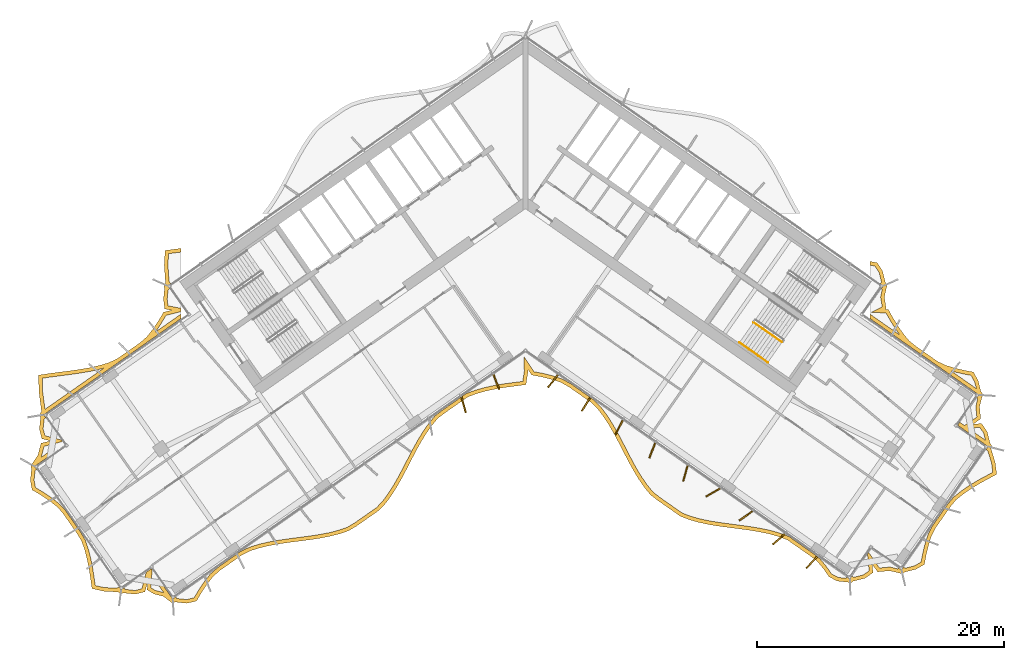
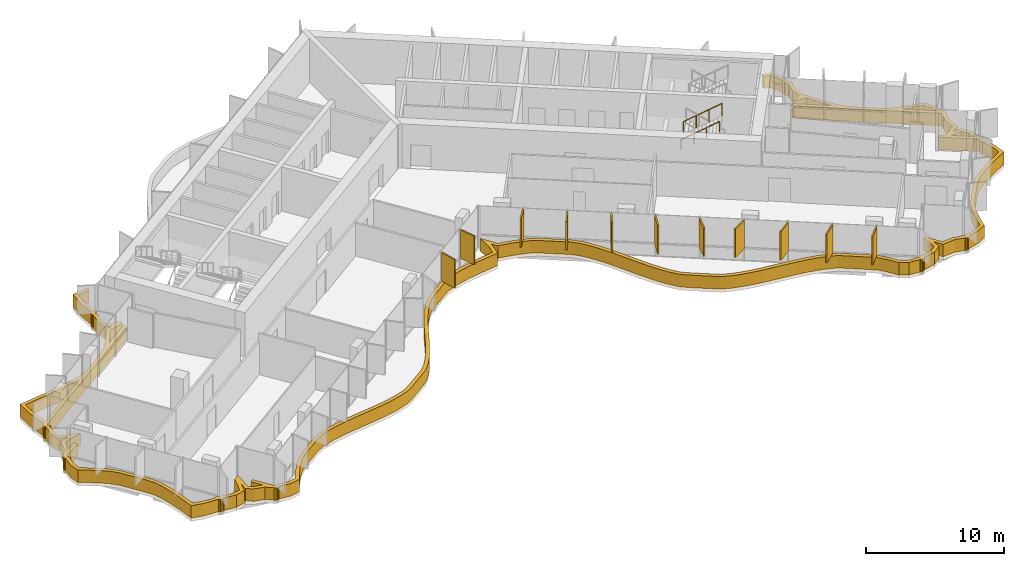
# One storey, part 19 of 21: 12 shading devices, 2 railings.
"""IFC4 building model written with IfcOpenShell, lengths in metres."""

from ifc_helpers import new_model, si_unit, direction, frame, origin, origin_2d, place, context, subcontext, project, spatial, polyline, rectangle, circle, outline, extrude, material, layer, layer_set, type_object, element, save


model = new_model("IFC4")

# Units and contexts
model_context = context("Model", 3, precision=1e-05, world=origin(), true_north=direction((0.0, 1.0)))
body_context = subcontext(model_context, "Body", "Model", "MODEL_VIEW")
ifc_project = project(units=[si_unit("LENGTHUNIT", "METRE"), si_unit("AREAUNIT", "SQUARE_METRE"), si_unit("VOLUMEUNIT", "CUBIC_METRE"), si_unit("PLANEANGLEUNIT", "RADIAN"), si_unit("MASSUNIT", "GRAM", prefix="KILO")], contexts=[model_context])

# Site, building, storey
site_placement = place(None, origin())
site = spatial("IfcSite", under=ifc_project, at=site_placement, CompositionType="ELEMENT")
building_placement = place(site_placement, origin())
building = spatial("IfcBuilding", under=site, at=building_placement, Name="Tel Ilan Convention Tower", CompositionType="ELEMENT")
storey_placement = place(building_placement, frame((0.0, 0.0, 155.39990234375)))
storey = spatial("IfcBuildingStorey", under=building, at=storey_placement, Name="L35", CompositionType="ELEMENT", Elevation=155.39990234375)

# Shading devices
ifc_material_1 = material(Name="Aluminium, bronze anodised", Category="aluminium")
ifc_layer_1 = layer(ifc_material_1, 0.1201171875)
ifc_layer_set_1 = layer_set([ifc_layer_1], Name="FIN BRONZE 1300x120")
shading_device_type_1 = type_object("IfcShadingDeviceType", Name="FIN BRONZE 1300x120", PredefinedType="USERDEFINED", material=ifc_layer_set_1)
for number, where, z_axis, x_axis, name in (
    (1, (-5.004638671875, -17.094482421875, 1.10009765625), (0.0, 0.0, 1.0), (0.268172612768, -0.963370878614, 0.0), "FIN"),
    (2, (-2.35302734375, -15.2529296875, 1.10009765625), (0.0, 0.0, 1.0), (0.360177724803, -0.932883704733, 0.0), "FIN"),
    (3, (2.2255859375, -15.172119140625, 1.10009765625), (0.0, 0.0, 1.0), (-0.612600545196, -0.790392669516, 0.0), "FIN"),
    (4, (4.90234375, -17.04638671875, 1.10009765625), (0.0, 0.0, 1.0), (-0.533204432798, -0.845986425922, 0.0), "FIN"),
    (5, (7.5791015625, -18.920166015625, 1.10009765625), (0.0, 0.0, 1.0), (-0.448799180206, -0.893632640321, 0.0), "FIN"),
    (6, (10.2587890625, -20.78857421875, 1.10009765625), (0.0, 0.0, 1.0), (-0.360177724803, -0.932883704733, 0.0), "FIN"),
    (7, (12.9404296875, -22.651123046875, 1.10009765625), (0.0, 0.0, 1.0), (-0.268172612768, -0.963370878614, 0.0), "FIN"),
    (8, (15.174072265625, -24.192626953125, 1.10009765625), (0.0, 0.0, 1.0), (-0.866025403784, -0.5, 0.0), "FIN"),
    (9, (17.83642578125, -26.079345703125, 1.10009765625), (0.0, 0.0, 1.0), (-0.813552070258, -0.581492071294, 0.0), "FIN"),
    (10, (20.50390625, -27.96240234375, 1.10009765625), (0.0, 0.0, 1.0), (-0.753435896329, -0.657521368568, 0.0), "FIN"),
    (11, (23.176025390625, -29.84130859375, 1.10009765625), (0.0, 0.0, 1.0), (-0.686241637865, -0.727373641577, 0.0), "FIN"),
):
    element("IfcShadingDevice", number, at=place(storey_placement, frame(where, z_axis=z_axis, x_axis=x_axis)), inside=storey, type_object=shading_device_type_1, Name=name, ObjectType="FIN", PredefinedType="USERDEFINED", context=body_context, shape_type="SweptSolid", body=[
        extrude(rectangle(XDim=1.300048828125, YDim=0.1201171875, at=origin_2d()), origin(), (0.0, 0.0, 1.0), 2.52001953125),
    ])
ifc_material_2 = material(Name="Aluminium, bronze anodised", Category="aluminium")
ifc_layer_2 = layer(ifc_material_2, 0.300048828125)
ifc_layer_set_2 = layer_set([ifc_layer_2], Name="LOUVRE BAND 300x1100")
shading_device_type_2 = type_object("IfcShadingDeviceType", Name="LOUVRE BAND 300x1100", PredefinedType="USERDEFINED", material=ifc_layer_set_2)
shading_device_placement = place(storey_placement, origin())
element("IfcShadingDevice", 12, at=shading_device_placement, inside=storey, type_object=shading_device_type_2, Name="LOUVRE BAND 27.01", ObjectType="LOUVRE", PredefinedType="USERDEFINED", context=body_context, shape_type="SweptSolid", body=[
    extrude(outline(polyline([(-40.0625, -23.190673828125), (-39.92822265625, -23.97265625), (-39.250732421875, -24.374267578125), (-38.60546875, -24.798583984375), (-38.006591796875, -25.25537109375), (-37.49755859375, -25.77490234375), (-36.2626953125, -27.53857421875), (-35.8984375, -28.15966796875), (-35.6572265625, -28.86669921875), (-35.46484375, -29.608154296875), (-35.312744140625, -30.377685546875), (-35.189697265625, -31.167724609375), (-35.07666015625, -31.964599609375), (-34.1298828125, -32.177734375), (-32.96484375, -32.238037109375), (-32.93603515625, -32.281494140625), (-32.838623046875, -32.346435546875), (-32.723876953125, -32.369384765625), (-32.609130859375, -32.346435546875), (-32.554931640625, -32.310302734375), (-31.562744140625, -32.420166015625), (-30.788818359375, -32.2177734375), (-30.573974609375, -31.399658203125), (-30.615234375, -32.057861328125), (-30.059814453125, -32.4013671875), (-29.2880859375, -32.593505859375), (-28.79150390625, -32.97802734375), (-28.786865234375, -32.974853515625), (-28.7578125, -33.01806640625), (-28.660400390625, -33.083251953125), (-28.545654296875, -33.10595703125), (-28.430908203125, -33.083251953125), (-28.376953125, -33.047119140625), (-27.396728515625, -33.154296875), (-26.6201171875, -32.970703125), (-26.2060546875, -32.269287109375), (-25.76416015625, -31.607666015625), (-25.286865234375, -30.996826171875), (-24.7294921875, -30.500244140625), (-22.907470703125, -29.224365234375), (-22.2314453125, -28.89697265625), (-21.48779296875, -28.666259765625), (-20.7099609375, -28.484619140625), (-19.905029296875, -28.34130859375), (-19.08251953125, -28.2236328125), (-17.421875, -28.009765625), (-16.60400390625, -27.885009765625), (-15.80712890625, -27.73046875), (-15.039794921875, -27.533935546875), (-14.308837890625, -27.284912109375), (-13.6689453125, -26.906005859375), (-11.846923828125, -25.63037109375), (-11.327880859375, -25.078857421875), (-10.86279296875, -24.4501953125), (-10.43115234375, -23.7744140625), (-10.024658203125, -23.06201171875), (-9.634765625, -22.326171875), (-8.864990234375, -20.84033203125), (-8.46533203125, -20.118408203125), (-8.043212890625, -19.428466796875), (-7.59033203125, -18.782470703125), (-7.10009765625, -18.190185546875), (-6.5087890625, -17.741943359375), (-4.686767578125, -16.466064453125), (-3.97021484375, -16.19677734375), (-3.214599609375, -15.983154296875), (-2.427001953125, -15.8154296875), (-1.615234375, -15.681884765625), (0.04248046875, -15.464111328125), (0.2060546875, -14.405029296875), (0.201416015625, -14.22314453125), (0.51220703125, -14.685546875), (1.31689453125, -14.835693359375), (2.093017578125, -15.0263671875), (2.833251953125, -15.268798828125), (3.490966796875, -15.62890625), (5.322509765625, -16.9111328125), (5.858154296875, -17.445556640625), (6.329833984375, -18.071533203125), (6.76708984375, -18.74658203125), (7.177734375, -19.45947265625), (7.57080078125, -20.197509765625), (8.343994140625, -21.69189453125), (8.744384765625, -22.41943359375), (9.166748046875, -23.11572265625), (9.61962890625, -23.768310546875), (10.110107421875, -24.3671875), (10.698486328125, -24.826171875), (12.530029296875, -26.108642578125), (13.245361328125, -26.386474609375), (14.003662109375, -26.602783203125), (14.794677734375, -26.7724609375), (15.610107421875, -26.9072265625), (18.10791015625, -27.238525390625), (18.924072265625, -27.3720703125), (19.716064453125, -27.54052734375), (20.475830078125, -27.7548828125), (21.19580078125, -28.02587890625), (23.02734375, -29.308349609375), (23.619384765625, -29.76220703125), (24.111328125, -30.35888671875), (24.565673828125, -31.009765625), (25.2314453125, -31.358154296875), (26.083251953125, -31.441162109375), (26.13720703125, -31.47705078125), (26.251953125, -31.5), (26.366943359375, -31.47705078125), (26.464111328125, -31.412109375), (26.4931640625, -31.368896484375), (27.463134765625, -31.132568359375), (28.12109375, -30.677734375), (28.056396484375, -29.976806640625), (28.4951171875, -30.611572265625), (29.47412109375, -30.52099609375), (30.258056640625, -30.708984375), (30.261474609375, -30.704345703125), (30.3154296875, -30.740478515625), (30.43017578125, -30.76318359375), (30.544921875, -30.740478515625), (30.642333984375, -30.67529296875), (30.67138671875, -30.632080078125), (31.5947265625, -30.402587890625), (32.283447265625, -30.0087890625), (32.42919921875, -29.234619140625), (32.607177734375, -28.483154296875), (32.83154296875, -27.764404296875), (33.145751953125, -27.108154296875), (34.380615234375, -25.344482421875), (34.83984375, -24.7900390625), (35.421630859375, -24.3212890625), (36.052734375, -23.88720703125), (36.7236328125, -23.48095703125), (37.423828125, -23.09521484375), (38.134033203125, -22.71630859375), (38.010498046875, -21.753662109375), (37.6689453125, -20.638427734375), (37.705078125, -20.58447265625), (37.727783203125, -20.4697265625), (37.705078125, -20.354736328125), (37.639892578125, -20.257568359375), (37.5966796875, -20.228515625), (37.3603515625, -19.258544921875), (36.905517578125, -18.6005859375), (36.20458984375, -18.665283203125), (36.839599609375, -18.2265625), (36.748779296875, -17.24755859375), (36.936767578125, -16.463623046875), (36.93212890625, -16.460205078125), (36.96826171875, -16.40625), (36.9912109375, -16.29150390625), (36.96826171875, -16.1767578125), (36.9033203125, -16.079345703125), (36.85986328125, -16.05029296875), (36.63134765625, -15.134521484375), (36.246826171875, -14.44140625), (35.47900390625, -14.2958984375), (34.732177734375, -14.1201171875), (34.017333984375, -13.899169921875), (33.361328125, -13.59375), (31.6103515625, -12.36767578125), (31.052978515625, -11.921630859375), (30.5849609375, -11.347900390625), (30.151123046875, -10.72509765625), (29.74560546875, -10.06201171875), (29.356201171875, -9.3759765625), (29.132080078125, -9.36474609375), (29.19384765625, -9.332763671875), (29.044921875, -8.373779296875), (29.20458984375, -7.631103515625), (29.199951171875, -7.6279296875), (29.236083984375, -7.57373046875), (29.2587890625, -7.458984375), (29.236083984375, -7.34423828125), (29.1708984375, -7.246826171875), (29.127685546875, -7.218017578125), (28.894287109375, -6.267333984375), (28.465576171875, -5.595458984375), (27.874755859375, -5.485595703125), (27.874755859375, -5.790771484375), (28.28271484375, -5.86669921875), (28.614990234375, -6.387451171875), (28.806640625, -7.1533203125), (28.713134765625, -7.286865234375), (28.958740234375, -7.458984375), (28.787353515625, -7.705322265625), (28.869384765625, -7.7626953125), (28.73974609375, -8.364990234375), (28.8642578125, -9.165283203125), (28.0048828125, -9.60888671875), (29.1767578125, -9.66748046875), (29.4873046875, -10.21435546875), (29.89990234375, -10.88916015625), (30.281494140625, -11.43701171875), (27.874755859375, -9.751953125), (27.874755859375, -10.1181640625), (36.691162109375, -16.29150390625), (36.51904296875, -16.537109375), (36.597412109375, -16.592041015625), (36.445556640625, -17.225830078125), (36.524658203125, -18.07958984375), (35.524658203125, -18.770751953125), (35.142578125, -18.503173828125), (34.970458984375, -18.748779296875), (37.427734375, -20.4697265625), (37.255859375, -20.71533203125), (37.41650390625, -20.827880859375), (37.716064453125, -21.816650390625), (37.810302734375, -22.549072265625), (36.573486328125, -23.22119140625), (35.889892578125, -23.635009765625), (35.2421875, -24.08056640625), (34.6279296875, -24.575439453125), (34.141845703125, -25.16259765625), (32.8857421875, -26.956298828125), (32.551513671875, -27.654296875), (32.317626953125, -28.40380859375), (32.1357421875, -29.17236328125), (32.014404296875, -29.817138671875), (31.481201171875, -30.121826171875), (30.7353515625, -30.310791015625), (30.602294921875, -30.217529296875), (30.43017578125, -30.46337890625), (30.18408203125, -30.291748046875), (30.129638671875, -30.36962890625), (29.495849609375, -30.2177734375), (28.64208984375, -30.296875), (27.76904296875, -29.03369140625), (27.679443359375, -29.161376953125), (27.806396484375, -30.530517578125), (27.337646484375, -30.8544921875), (26.55810546875, -31.048095703125), (26.424072265625, -30.954345703125), (26.251953125, -31.199951171875), (26.005859375, -31.028564453125), (25.935302734375, -31.129150390625), (25.319580078125, -31.065673828125), (24.76953125, -30.77783203125), (24.3505859375, -30.177490234375), (23.8291015625, -29.544921875), (23.204833984375, -29.06640625), (21.3369140625, -27.758544921875), (20.569580078125, -27.469482421875), (19.7880859375, -27.2490234375), (18.9794921875, -27.077392578125), (18.15234375, -26.941650390625), (15.65478515625, -26.610595703125), (14.8505859375, -26.477783203125), (14.076416015625, -26.3115234375), (13.341064453125, -26.101806640625), (12.67236328125, -25.842041015625), (10.876953125, -24.5849609375), (10.321044921875, -24.1513671875), (9.859375, -23.58740234375), (9.41845703125, -22.9521484375), (9.004150390625, -22.269287109375), (8.608642578125, -21.55029296875), (7.83642578125, -20.058349609375), (7.440185546875, -19.31396484375), (7.02294921875, -18.590087890625), (6.575927734375, -17.8994140625), (6.085205078125, -17.248046875), (5.515869140625, -16.680419921875), (3.649658203125, -15.37353515625), (2.953125, -14.9921875), (2.17578125, -14.73779296875), (1.380126953125, -14.542236328125), (0.69091796875, -14.41357421875), (-0.12451171875, -13.200439453125), (-0.0947265625, -14.3857421875), (-0.219482421875, -15.19482421875), (-1.659912109375, -15.38525390625), (-2.482666015625, -15.5205078125), (-3.286865234375, -15.691650390625), (-4.06396484375, -15.911376953125), (-4.827880859375, -16.198486328125), (-6.685546875, -17.49951171875), (-7.308837890625, -17.97216796875), (-7.8291015625, -18.6005859375), (-8.294189453125, -19.263916015625), (-8.724609375, -19.96728515625), (-9.12939453125, -20.6982421875), (-9.900634765625, -22.1875), (-10.28759765625, -22.91748046875), (-10.68798828125, -23.619140625), (-11.110107421875, -24.280029296875), (-11.55859375, -24.88623046875), (-12.044189453125, -25.40234375), (-13.831787109375, -26.65380859375), (-14.43505859375, -27.010986328125), (-15.12548828125, -27.24609375), (-15.873046875, -27.437744140625), (-16.6552734375, -27.58935546875), (-17.4638671875, -27.712646484375), (-19.12255859375, -27.92626953125), (-19.95263671875, -28.045166015625), (-20.770263671875, -28.190673828125), (-21.56640625, -28.376708984375), (-22.341796875, -28.6171875), (-23.059814453125, -28.96484375), (-24.916015625, -30.264404296875), (-25.506591796875, -30.790771484375), (-26.007568359375, -31.431884765625), (-26.460205078125, -32.109619140625), (-26.8134765625, -32.708251953125), (-27.416015625, -32.8505859375), (-28.206298828125, -32.767578125), (-28.2998046875, -32.634033203125), (-28.545654296875, -32.805908203125), (-29.57861328125, -31.3310546875), (-29.82421875, -31.5029296875), (-29.27490234375, -32.28759765625), (-29.94189453125, -32.12158203125), (-30.3046875, -31.897216796875), (-30.21240234375, -30.42578125), (-30.266357421875, -30.3486328125), (-30.685302734375, -30.641845703125), (-31.034423828125, -31.971923828125), (-31.58544921875, -32.115966796875), (-32.38427734375, -32.03125), (-32.4775390625, -31.89794921875), (-32.723876953125, -32.0693359375), (-32.89599609375, -31.823486328125), (-33.056640625, -31.93603515625), (-34.08837890625, -31.87939453125), (-34.80859375, -31.71728515625), (-35.017333984375, -30.325439453125), (-35.17236328125, -29.54150390625), (-35.36962890625, -28.780517578125), (-35.624267578125, -28.033935546875), (-36.010009765625, -27.376220703125), (-37.265869140625, -25.58251953125), (-37.807373046875, -25.02978515625), (-38.431884765625, -24.5537109375), (-39.091796875, -24.119873046875), (-39.656005859375, -23.78515625), (-39.760009765625, -23.18017578125), (-39.6826171875, -22.41455078125), (-39.54931640625, -22.3212890625), (-39.721435546875, -22.07568359375), (-38.288330078125, -21.072021484375), (-38.460205078125, -20.826416015625), (-39.223388671875, -21.360595703125), (-39.171142578125, -21.28173828125), (-38.953369140625, -20.452392578125), (-37.4677734375, -20.06396484375), (-37.557373046875, -19.93603515625), (-38.88720703125, -19.5869140625), (-39.031494140625, -19.035888671875), (-38.946533203125, -18.237060546875), (-38.812744140625, -18.143310546875), (-38.98486328125, -17.8974609375), (-27.874755859375, -10.1181640625), (-27.874755859375, -9.751953125), (-29.952392578125, -11.20654296875), (-29.906005859375, -11.14794921875), (-29.44873046875, -10.4658203125), (-29.09033203125, -9.859375), (-27.874755859375, -9.551025390625), (-27.874755859375, -9.287353515625), (-28.923828125, -9.080322265625), (-28.992431640625, -8.5439453125), (-28.91943359375, -7.797607421875), (-28.787353515625, -7.705322265625), (-28.958740234375, -7.458984375), (-28.713134765625, -7.286865234375), (-28.83740234375, -7.109375), (-28.93115234375, -5.783447265625), (-28.876953125, -4.86572265625), (-27.874755859375, -4.735107421875), (-27.874755859375, -4.4326171875), (-29.161865234375, -4.60107421875), (-29.231689453125, -5.78515625), (-29.127685546875, -7.218017578125), (-29.1708984375, -7.246826171875), (-29.236083984375, -7.34423828125), (-29.2587890625, -7.458984375), (-29.236083984375, -7.57373046875), (-29.199951171875, -7.6279296875), (-29.29443359375, -8.548583984375), (-29.19384765625, -9.332763671875), (-28.654541015625, -9.439208984375), (-29.284912109375, -9.59912109375), (-29.70263671875, -10.305908203125), (-30.14892578125, -10.971435546875), (-30.631591796875, -11.5849609375), (-31.197998046875, -12.078857421875), (-33.03466796875, -13.364990234375), (-33.72509765625, -13.68212890625), (-34.477783203125, -13.91015625), (-35.2646484375, -14.089111328125), (-36.078125, -14.23046875), (-36.90869140625, -14.34716796875), (-38.58203125, -14.563720703125), (-39.404052734375, -14.692626953125), (-39.369873046875, -16.044677734375), (-39.153564453125, -17.656494140625), (-39.19677734375, -17.685302734375), (-39.261962890625, -17.78271484375), (-39.28466796875, -17.8974609375), (-39.261962890625, -18.01220703125), (-39.225830078125, -18.066162109375), (-39.33544921875, -19.05859375), (-39.133056640625, -19.83251953125), (-38.452392578125, -20.01123046875), (-39.19921875, -20.20654296875), (-39.44873046875, -21.157470703125), (-39.8935546875, -21.829833984375), (-39.890380859375, -21.83447265625), (-39.93359375, -21.863525390625), (-39.99853515625, -21.9609375), (-40.021484375, -22.07568359375), (-39.99853515625, -22.1904296875), (-39.962646484375, -22.244384765625), (-40.0625, -23.190673828125)]), holes=[polyline([(36.758544921875, -18.915283203125), (37.082275390625, -19.384033203125), (37.225830078125, -19.9619140625), (35.85107421875, -18.999267578125), (36.758544921875, -18.915283203125)]), polyline([(34.4267578125, -14.33984375), (34.653564453125, -14.409912109375), (35.416748046875, -14.58935546875), (36.052734375, -14.7099609375), (36.35009765625, -15.24609375), (36.486572265625, -15.781982421875), (34.4267578125, -14.33984375)]), polyline([(-35.205810546875, -14.383544921875), (-34.40087890625, -14.200439453125), (-34.095703125, -14.10791015625), (-38.8798828125, -17.457763671875), (-39.0703125, -16.02099609375), (-39.097412109375, -14.9482421875), (-38.5390625, -14.860595703125), (-36.869140625, -14.64453125), (-36.031494140625, -14.52685546875), (-35.205810546875, -14.383544921875)])]), origin(), (0.0, 0.0, 1.0), 1.10009765625),
])

# Railings
ifc_material_3 = material(Name="Stainless Steel Grade 316", Category="steel")
railing_type_1 = type_object("IfcRailingType", Name="Stainless Steel Stair Guard 1100 mm", PredefinedType="GUARDRAIL", material=ifc_material_3)
railing_1_placement = place(storey_placement, frame((18.4599609375, -10.423095703125, 2.12744140625)))
element("IfcRailing", 13, at=railing_1_placement, inside=storey, type_object=railing_type_1, Name="L35 S4 stair guard 3", PredefinedType="GUARDRAIL", context=body_context, shape_type="SweptSolid", body=[
    extrude(circle(Radius=0.02392578125, at=origin_2d()), frame((0.0, 0.0, 1.076171875), z_axis=(0.692098378994, -0.484653031975, 0.534893701956), x_axis=(0.573608623498, 0.819129505664, 0.0)), (0.0, 0.0, 1.0), 3.314208984375),
    extrude(circle(Radius=0.02099609375, at=origin_2d()), origin(), (0.0, 0.0, 1.0), 1.052001953125),
    extrude(circle(Radius=0.02099609375, at=origin_2d()), frame((0.7646484375, -0.535400390625, 0.5908203125)), (0.0, 0.0, 1.0), 1.052001953125),
    extrude(circle(Radius=0.02099609375, at=origin_2d()), frame((1.529052734375, -1.07080078125, 1.181884765625)), (0.0, 0.0, 1.0), 1.052001953125),
    extrude(circle(Radius=0.02099609375, at=origin_2d()), frame((2.293701171875, -1.606201171875, 1.772705078125)), (0.0, 0.0, 1.0), 1.052001953125),
])
ifc_material_4 = material(Name="Stainless Steel Grade 316", Category="steel")
railing_type_2 = type_object("IfcRailingType", Name="Stainless Steel Stair Handrail 900 mm", PredefinedType="HANDRAIL", material=ifc_material_4)
railing_2_placement = place(storey_placement, frame((17.312744140625, -12.0615234375, 2.12744140625)))
element("IfcRailing", 14, at=railing_2_placement, inside=storey, type_object=railing_type_2, Name="L35 S4 stair handrail 2", PredefinedType="HANDRAIL", context=body_context, shape_type="SweptSolid", body=[
    extrude(circle(Radius=0.02392578125, at=origin_2d()), frame((0.0, 0.0, 0.8759765625), z_axis=(0.692123088272, -0.484596665743, 0.534912798717), x_axis=(0.573550118428, 0.819170471667, 0.0)), (0.0, 0.0, 1.0), 3.31396484375),
    extrude(circle(Radius=0.02099609375, at=origin_2d()), origin(), (0.0, 0.0, 1.0), 0.851806640625),
    extrude(circle(Radius=0.02099609375, at=origin_2d()), frame((0.7646484375, -0.535400390625, 0.5908203125)), (0.0, 0.0, 1.0), 0.851806640625),
    extrude(circle(Radius=0.02099609375, at=origin_2d()), frame((1.529052734375, -1.070556640625, 1.181884765625)), (0.0, 0.0, 1.0), 0.851806640625),
    extrude(circle(Radius=0.02099609375, at=origin_2d()), frame((2.293701171875, -1.60595703125, 1.772705078125)), (0.0, 0.0, 1.0), 0.851806640625),
])

save(model, "model.ifc")
